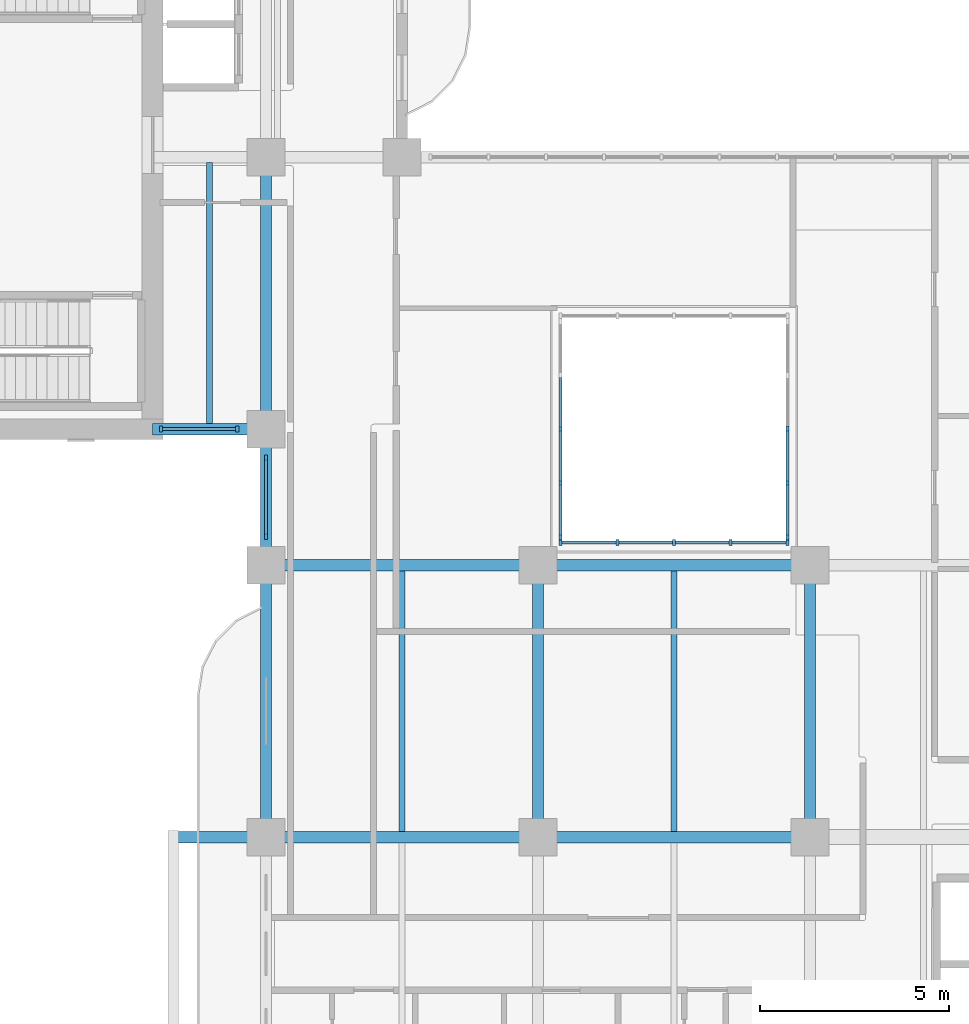
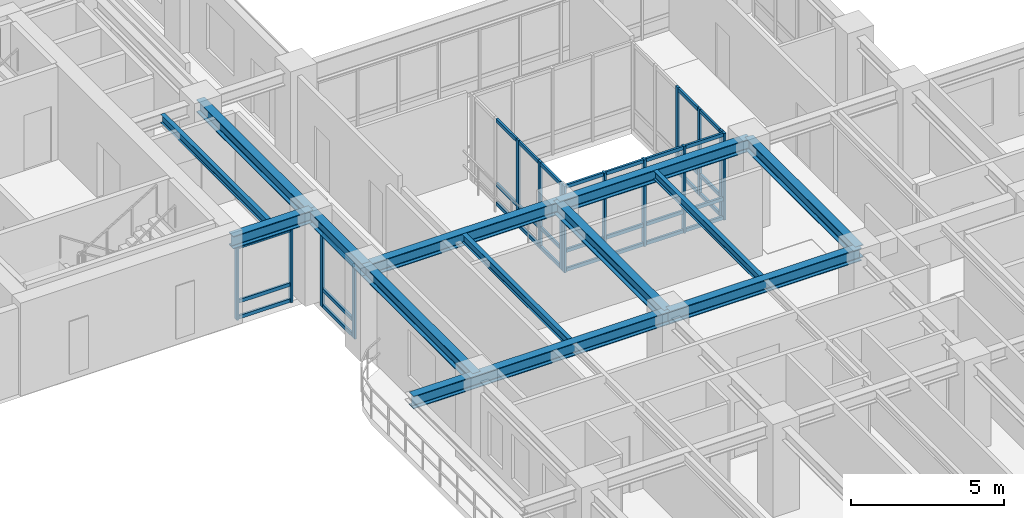
# One storey, part 2 of 20: 48 members, 13 beams, 5 elements without a shape of their own.
"""IFC4 building model written with IfcOpenShell, lengths in metres."""

import ifcopenshell
import ifcopenshell.guid

model = None  # the IFC model being written
_history = None  # IfcOwnerHistory: only IFC2X3 demands one
_inside = {}  # id of a spatial element -> (the spatial element, [elements in it])
_under = {}  # id of a project, library or spatial element -> (it, [spatial elements below it])
_declared = {}  # id of a project -> (the project, [libraries it declares])
_typed = {}  # id of a type object -> (the type object, [elements of that type])
_made_of = {}  # id of a material, layer set ... -> (it, [elements and type objects made of it])


def new_model(schema):
    """Start an empty IFC model of exactly this schema.

    Asked for "IFC4X3", IfcOpenShell would pick the latest addendum, in which some entities
    have other attributes; the version numbers below select the first issue.
    IFC2X3 requires an IfcOwnerHistory on every rooted entity: one is made here for all.
    """
    global model, _history
    if schema == "IFC4X3":
        model = ifcopenshell.file(schema_version=(4, 3, 0, 0))
    else:
        model = ifcopenshell.file(schema=schema)
    _inside.clear()
    _under.clear()
    _declared.clear()
    _typed.clear()
    _made_of.clear()
    _history = None
    if model.schema == "IFC2X3":
        org = make("IfcOrganization", Name="unknown")
        user = make(
            "IfcPersonAndOrganization",
            ThePerson=make("IfcPerson", FamilyName="unknown"),
            TheOrganization=org,
        )
        app = make(
            "IfcApplication",
            ApplicationDeveloper=org,
            Version="unknown",
            ApplicationFullName="unknown",
            ApplicationIdentifier="unknown",
        )
        _history = make(
            "IfcOwnerHistory",
            OwningUser=user,
            OwningApplication=app,
            ChangeAction="ADDED",
            CreationDate=0,
        )
    return model


def make(cls, **values):
    """One entity of the class cls with the attributes given. An attribute that is None is left unset."""
    return model.create_entity(
        cls, **{name: value for name, value in values.items() if value is not None}
    )


def rooted(cls, **values):
    """An entity with a GlobalId (a new one), such as an element, a storey or a relation."""
    return make(cls, GlobalId=ifcopenshell.guid.new(), OwnerHistory=_history, **values)


def si_unit(unit_type, name, prefix=None):
    """IfcSIUnit, for example si_unit("LENGTHUNIT", "METRE", prefix="MILLI")."""
    return make("IfcSIUnit", UnitType=unit_type, Prefix=prefix, Name=name)


def derived_unit(unit_type, elements):
    """IfcDerivedUnit: a product of units, each with its exponent."""
    return make(
        "IfcDerivedUnit",
        Elements=[
            make("IfcDerivedUnitElement", Unit=unit, Exponent=power)
            for unit, power in elements
        ],
        UnitType=unit_type,
    )


def assignment(units):
    """IfcUnitAssignment: the units of a project."""
    return None if units is None else make("IfcUnitAssignment", Units=units)


def point(xyz):
    """IfcCartesianPoint."""
    return None if xyz is None else make("IfcCartesianPoint", Coordinates=xyz)


def direction(xyz):
    """IfcDirection."""
    return None if xyz is None else make("IfcDirection", DirectionRatios=xyz)


def frame(location, z_axis=None, x_axis=None):
    """IfcAxis2Placement3D, a coordinate frame: its origin and axes. An axis left out is left unset."""
    return make(
        "IfcAxis2Placement3D",
        Location=point(location),
        Axis=direction(z_axis),
        RefDirection=direction(x_axis),
    )


def frame_2d(location, x_axis=None):
    """IfcAxis2Placement2D, a coordinate frame in the plane: its origin and x axis."""
    return make(
        "IfcAxis2Placement2D", Location=point(location), RefDirection=direction(x_axis)
    )


def origin():
    """The frame at (0, 0, 0) with its axes left unset."""
    return frame((0.0, 0.0, 0.0))


def origin_2d():
    """The frame at (0, 0) in the plane with its x axis left unset."""
    return frame_2d((0.0, 0.0))


def place(relative_to, where):
    """IfcLocalPlacement: puts the frame where relative to a parent placement (None: the world)."""
    return make(
        "IfcLocalPlacement", PlacementRelTo=relative_to, RelativePlacement=where
    )


def context(
    kind, dimensions, precision=None, world=None, true_north=None, identifier=None
):
    """IfcGeometricRepresentationContext, for example the 3D "Model" context."""
    return make(
        "IfcGeometricRepresentationContext",
        ContextIdentifier=identifier,
        ContextType=kind,
        CoordinateSpaceDimension=dimensions,
        Precision=precision,
        WorldCoordinateSystem=world,
        TrueNorth=true_north,
    )


def subcontext(parent, identifier, kind, view, scale=None):
    """IfcGeometricRepresentationSubContext, for example "Body" below "Model"."""
    return make(
        "IfcGeometricRepresentationSubContext",
        ContextIdentifier=identifier,
        ContextType=kind,
        ParentContext=parent,
        TargetScale=scale,
        TargetView=view,
    )


def project(units=None, contexts=None):
    """IfcProject with its units and contexts."""
    return rooted(
        "IfcProject",
        Name="project",
        RepresentationContexts=contexts,
        UnitsInContext=assignment(units),
    )


def spatial(cls, under=None, at=None, **own):
    """A site, building, storey or space (cls), placed at a placement, below another one or the project."""
    s = rooted(cls, ObjectPlacement=at, **own)
    if under is not None:
        _under.setdefault(under.id(), (under, []))[1].append(s)
    return s


def profile(cls, at=None, kind="AREA", **sizes):
    """A parametric profile (cls). Its sizes go by their IFC names, for example OverallWidth=200.0."""
    return make(cls, ProfileType=kind, Position=at, **sizes)


def rectangle(**sizes):
    """IfcRectangleProfileDef."""
    return profile("IfcRectangleProfileDef", **sizes)


def i_section(**sizes):
    """IfcIShapeProfileDef."""
    return profile("IfcIShapeProfileDef", **sizes)


def extrude(swept, where, along, depth):
    """IfcExtrudedAreaSolid: the profile swept, set in the frame where, extruded along a direction by depth."""
    return make(
        "IfcExtrudedAreaSolid",
        SweptArea=swept,
        Position=where,
        ExtrudedDirection=direction(along),
        Depth=depth,
    )


def shape(context_of_items, identifier, shape_type, items):
    """IfcShapeRepresentation: the items that make up one representation, for example the "Body"."""
    return make(
        "IfcShapeRepresentation",
        ContextOfItems=context_of_items,
        RepresentationIdentifier=identifier,
        RepresentationType=shape_type,
        Items=items,
    )


def source(mapping_origin, context_of_items, identifier, shape_type, items):
    """IfcRepresentationMap: a shape defined once, which mapped items show again and again."""
    return make(
        "IfcRepresentationMap",
        MappingOrigin=mapping_origin,
        MappedRepresentation=shape(context_of_items, identifier, shape_type, items),
    )


def transform(
    local_origin,
    x_axis=None,
    y_axis=None,
    z_axis=None,
    scale=None,
    scale2=None,
    scale3=None,
    uniform=True,
):
    """IfcCartesianTransformationOperator3D, or its non-uniform kind. x_axis, y_axis, z_axis: its Axis1, 2, 3."""
    if uniform:
        return make(
            "IfcCartesianTransformationOperator3D",
            Axis1=direction(x_axis),
            Axis2=direction(y_axis),
            LocalOrigin=point(local_origin),
            Scale=scale,
            Axis3=direction(z_axis),
        )
    return make(
        "IfcCartesianTransformationOperator3DnonUniform",
        Axis1=direction(x_axis),
        Axis2=direction(y_axis),
        LocalOrigin=point(local_origin),
        Scale=scale,
        Axis3=direction(z_axis),
        Scale2=scale2,
        Scale3=scale3,
    )


def mapped(mapping_source, mapping_target):
    """IfcMappedItem: shows the shape of a source again, moved by a transform."""
    return make(
        "IfcMappedItem", MappingSource=mapping_source, MappingTarget=mapping_target
    )


def material(Name=None, Category=None):
    """IfcMaterial."""
    return make("IfcMaterial", Name=Name, Category=Category)


def layer(
    of_material, thickness, ventilated=None, Name=None, Category=None, Priority=None
):
    """IfcMaterialLayer: one layer of a wall or slab, of a material (None: an air gap)."""
    return make(
        "IfcMaterialLayer",
        Material=of_material,
        LayerThickness=thickness,
        IsVentilated=ventilated,
        Name=Name,
        Category=Category,
        Priority=Priority,
    )


def layer_set(layers, Name=None):
    """IfcMaterialLayerSet."""
    return make("IfcMaterialLayerSet", MaterialLayers=layers, LayerSetName=Name)


def material_profile(
    of_material, cross_section, Name=None, Category=None, Priority=None
):
    """IfcMaterialProfile: a cross section and its material."""
    return make(
        "IfcMaterialProfile",
        Name=Name,
        Material=of_material,
        Profile=cross_section,
        Priority=Priority,
        Category=Category,
    )


def profile_set(profiles, Name=None, composite=None):
    """IfcMaterialProfileSet."""
    return make(
        "IfcMaterialProfileSet",
        Name=Name,
        MaterialProfiles=profiles,
        CompositeProfile=composite,
    )


def made_of(thing, what):
    """Note that an element or type object is made of a material, layer set ...; save() writes the relation."""
    if what is not None:
        _made_of.setdefault(what.id(), (what, []))[1].append(thing)
    return thing


def type_object(cls, material=None, **own):
    """A type object (cls), such as IfcWallType, which elements share."""
    return made_of(rooted(cls, **own), material)


def type_shapes(of_type, sources):
    """Give a type object the sources (RepresentationMaps) that its elements show as mapped items."""
    of_type.RepresentationMaps = sources


def element(
    cls,
    number,
    at=None,
    inside=None,
    cuts=None,
    type_object=None,
    material=None,
    context=None,
    identifier="Body",
    shape_type=None,
    held_by="IfcProductDefinitionShape",
    body=None,
    shapes=None,
    **own,
):
    """One element of the class cls, such as IfcWall. Its Tag is "e" and its number.

    at: its placement. inside: the storey or other place that contains it. cuts: it is an
    opening in that element (IfcRelVoidsElement). A single representation is given by context,
    identifier, shape_type and body (its items); several are given by shapes. held_by: the class
    of the entity that holds the representations. save() writes the other relations.
    """
    e = rooted(cls, Tag="e%d" % number, ObjectPlacement=at, **own)
    if body is not None:
        shapes = [shape(context, identifier, shape_type, body)]
    if shapes is not None:
        e.Representation = make(held_by, Representations=shapes)
    if inside is not None:
        _inside.setdefault(inside.id(), (inside, []))[1].append(e)
    if cuts is not None:
        rooted(
            "IfcRelVoidsElement", RelatingBuildingElement=cuts, RelatedOpeningElement=e
        )
    if type_object is not None:
        _typed.setdefault(type_object.id(), (type_object, []))[1].append(e)
    return made_of(e, material)


def aggregate(whole, parts):
    """IfcRelAggregates: a whole, such as a stair, and the parts it consists of."""
    return rooted("IfcRelAggregates", RelatingObject=whole, RelatedObjects=parts)


def save(model, path):
    """Write the relations noted so far, then the file.

    IfcRelAggregates (storeys below a building ...), IfcRelContainedInSpatialStructure (elements
    in a storey), IfcRelDefinesByType, IfcRelAssociatesMaterial and IfcRelDeclares: one each for
    every whole, place, type object, material and project.
    """
    for whole, parts in _under.values():
        aggregate(whole, parts)
    for where, things in _inside.values():
        rooted(
            "IfcRelContainedInSpatialStructure",
            RelatedElements=things,
            RelatingStructure=where,
        )
    for kind, things in _typed.values():
        rooted("IfcRelDefinesByType", RelatedObjects=things, RelatingType=kind)
    for what, things in _made_of.values():
        rooted("IfcRelAssociatesMaterial", RelatedObjects=things, RelatingMaterial=what)
    for by, libraries in _declared.values():
        rooted("IfcRelDeclares", RelatingContext=by, RelatedDefinitions=libraries)
    model.write(path)


model = new_model("IFC4")

# Units and contexts
model_context = context("Model", 3, precision=1e-05, world=origin(), true_north=direction((0.0, 1.0)))
body_context = subcontext(model_context, "Body", "Model", "MODEL_VIEW")
ifc_project = project(units=[si_unit("LENGTHUNIT", "METRE"), si_unit("AREAUNIT", "SQUARE_METRE"), si_unit("VOLUMEUNIT", "CUBIC_METRE"), si_unit("PLANEANGLEUNIT", "RADIAN"), si_unit("MASSUNIT", "GRAM", prefix="KILO"), si_unit("THERMODYNAMICTEMPERATUREUNIT", "KELVIN"), si_unit("POWERUNIT", "WATT"), derived_unit("THERMALTRANSMITTANCEUNIT", [(si_unit("POWERUNIT", "WATT"), 1), (si_unit("AREAUNIT", "SQUARE_METRE"), -1), (si_unit("THERMODYNAMICTEMPERATUREUNIT", "KELVIN"), -1)])], contexts=[model_context])

# Site, building, storey
site_placement = place(None, origin())
site = spatial("IfcSite", under=ifc_project, at=site_placement, CompositionType="ELEMENT")
building_placement = place(site_placement, origin())
building = spatial("IfcBuilding", under=site, at=building_placement, Name="Zahravan Archway Hotel and Residences", CompositionType="ELEMENT")
storey_placement = place(building_placement, frame((0.0, 0.0, 126.60009765625)))
storey = spatial("IfcBuildingStorey", under=building, at=storey_placement, Name="L31", CompositionType="ELEMENT", Elevation=126.60009765625)

# Beams
ifc_material_1 = material(Name="Structural Steel S355JR", Category="steel")
ifc_material_profile_1 = material_profile(ifc_material_1, i_section(OverallWidth=0.300048828125, OverallDepth=0.5, WebThickness=0.014404296875, FlangeThickness=0.028076171875, FilletRadius=0.027099609375, at=origin_2d()), Name="HEB 500", Category="steel")
ifc_profile_set_1 = profile_set([ifc_material_profile_1], Name="Structural Steel S355JR")
beam_type_1 = type_object("IfcBeamType", Name="BM-PRI-HEB500", PredefinedType="BEAM", material=ifc_profile_set_1)
shared_shape_1 = source(origin(), body_context, "Body", "SweptSolid", [
    extrude(i_section(OverallWidth=0.300048828125, OverallDepth=0.5, WebThickness=0.014404296875, FlangeThickness=0.028076171875, FilletRadius=0.027099609375, at=origin_2d()), origin(), (0.0, 0.0, 1.0), 7.2001953125),
])
type_shapes(beam_type_1, [shared_shape_1])
for number, where, z_axis, x_axis, name in (
    (1, (14.39990234375, 21.60009765625, 3.199951171875), (1.0, 0.0, 0.0), (0.0, 1.0, 0.0), "L31 Primary Girder EW-11"),
    (2, (14.39990234375, 14.39990234375, 3.199951171875), (0.0, 1.0, 0.0), (-1.0, 0.0, 0.0), "L31 Primary Girder NS-30"),
    (3, (21.60009765625, 14.39990234375, 3.199951171875), (0.0, 1.0, 0.0), (-1.0, 0.0, 0.0), "L31 Primary Girder NS-37"),
    (4, (28.800048828125, 14.39990234375, 3.199951171875), (0.0, 1.0, 0.0), (-1.0, 0.0, 0.0), "L31 Primary Girder NS-40"),
):
    element("IfcBeam", number, at=place(storey_placement, frame(where, z_axis=z_axis, x_axis=x_axis)), inside=storey, type_object=beam_type_1, Name=name, PredefinedType="BEAM", context=body_context, shape_type="MappedRepresentation", body=[
        mapped(shared_shape_1, transform((0.0, 0.0, 0.0), scale=1.0)),
    ])
shared_shape_2 = source(origin(), body_context, "Body", "SweptSolid", [
    extrude(i_section(OverallWidth=0.300048828125, OverallDepth=0.5, WebThickness=0.014404296875, FlangeThickness=0.028076171875, FilletRadius=0.027099609375, at=origin_2d()), origin(), (0.0, 0.0, 1.0), 7.199951171875),
])
for number, where, z_axis, x_axis, name in (
    (5, (21.60009765625, 14.39990234375, 3.199951171875), (1.0, 0.0, 0.0), (0.0, 1.0, 0.0), "L31 Primary Girder EW-10"),
    (6, (21.60009765625, 21.60009765625, 3.199951171875), (1.0, 0.0, 0.0), (0.0, 1.0, 0.0), "L31 Primary Girder EW-12"),
    (7, (14.39990234375, 25.199951171875, 3.199951171875), (0.0, 1.0, 0.0), (-1.0, 0.0, 0.0), "L31 Primary Girder NS-32"),
):
    element("IfcBeam", number, at=place(storey_placement, frame(where, z_axis=z_axis, x_axis=x_axis)), inside=storey, type_object=beam_type_1, Name=name, PredefinedType="BEAM", context=body_context, shape_type="MappedRepresentation", body=[
        mapped(shared_shape_2, transform((0.0, 0.0, 0.0), scale=1.0)),
    ])
shared_shape_3 = source(origin(), body_context, "Body", "SweptSolid", [
    extrude(i_section(OverallWidth=0.300048828125, OverallDepth=0.5, WebThickness=0.014404296875, FlangeThickness=0.028076171875, FilletRadius=0.027099609375, at=origin_2d()), origin(), (0.0, 0.0, 1.0), 9.650146484375),
])
beam_1_placement = place(storey_placement, frame((11.949951171875, 14.39990234375, 3.199951171875), z_axis=(1.0, 0.0, 0.0), x_axis=(0.0, 1.0, 0.0)))
element("IfcBeam", 8, at=beam_1_placement, inside=storey, type_object=beam_type_1, Name="L31 Primary Girder EW-09", PredefinedType="BEAM", context=body_context, shape_type="MappedRepresentation", body=[
    mapped(shared_shape_3, transform((0.0, 0.0, 0.0), scale=1.0)),
])
shared_shape_4 = source(origin(), body_context, "Body", "SweptSolid", [
    extrude(i_section(OverallWidth=0.300048828125, OverallDepth=0.5, WebThickness=0.014404296875, FlangeThickness=0.028076171875, FilletRadius=0.027099609375, at=origin_2d()), origin(), (0.0, 0.0, 1.0), 3.0),
])
beam_2_placement = place(storey_placement, frame((11.39990234375, 25.199951171875, 3.199951171875), z_axis=(1.0, 0.0, 0.0), x_axis=(0.0, 1.0, 0.0)))
element("IfcBeam", 9, at=beam_2_placement, inside=storey, type_object=beam_type_1, Name="L31 Primary Girder EW-16", PredefinedType="BEAM", context=body_context, shape_type="MappedRepresentation", body=[
    mapped(shared_shape_4, transform((0.0, 0.0, 0.0), scale=1.0)),
])
shared_shape_5 = source(origin(), body_context, "Body", "SweptSolid", [
    extrude(i_section(OverallWidth=0.300048828125, OverallDepth=0.5, WebThickness=0.014404296875, FlangeThickness=0.028076171875, FilletRadius=0.027099609375, at=origin_2d()), origin(), (0.0, 0.0, 1.0), 3.599853515625),
])
beam_3_placement = place(storey_placement, frame((14.39990234375, 21.60009765625, 3.199951171875), z_axis=(0.0, 1.0, 0.0), x_axis=(-1.0, 0.0, 0.0)))
element("IfcBeam", 10, at=beam_3_placement, inside=storey, type_object=beam_type_1, Name="L31 Primary Girder NS-31", PredefinedType="BEAM", context=body_context, shape_type="MappedRepresentation", body=[
    mapped(shared_shape_5, transform((0.0, 0.0, 0.0), scale=1.0)),
])
ifc_material_profile_2 = material_profile(ifc_material_1, i_section(OverallWidth=0.159912109375, OverallDepth=0.330078125, WebThickness=0.007568359375, FlangeThickness=0.011474609375, FilletRadius=0.01806640625, at=origin_2d()), Name="IPE 330", Category="steel")
ifc_profile_set_2 = profile_set([ifc_material_profile_2], Name="Structural Steel S355JR")
beam_type_2 = type_object("IfcBeamType", Name="BM-JST-IPE330", PredefinedType="JOIST", material=ifc_profile_set_2)
shared_shape_6 = source(origin(), body_context, "Body", "SweptSolid", [
    extrude(i_section(OverallWidth=0.159912109375, OverallDepth=0.330078125, WebThickness=0.007568359375, FlangeThickness=0.011474609375, FilletRadius=0.01806640625, at=origin_2d()), origin(), (0.0, 0.0, 1.0), 6.904052734375),
])
type_shapes(beam_type_2, [shared_shape_6])
beam_4_placement = place(storey_placement, frame((12.89990234375, 25.347900390625, 3.284912109375), z_axis=(0.0, 1.0, 0.0), x_axis=(-1.0, 0.0, 0.0)))
element("IfcBeam", 11, at=beam_4_placement, inside=storey, type_object=beam_type_2, Name="L31 Composite Floor Joist 10", PredefinedType="JOIST", context=body_context, shape_type="MappedRepresentation", body=[
    mapped(shared_shape_6, transform((0.0, 0.0, 0.0), scale=1.0)),
])
shared_shape_7 = source(origin(), body_context, "Body", "SweptSolid", [
    extrude(i_section(OverallWidth=0.159912109375, OverallDepth=0.330078125, WebThickness=0.007568359375, FlangeThickness=0.011474609375, FilletRadius=0.01806640625, at=origin_2d()), origin(), (0.0, 0.0, 1.0), 6.90380859375),
])
for number, where, z_axis, x_axis, name in (
    (12, (18.0, 14.548095703125, 3.284912109375), (0.0, 1.0, 0.0), (-1.0, 0.0, 0.0), "L31 Composite Floor Joist 08"),
    (13, (25.199951171875, 14.548095703125, 3.284912109375), (0.0, 1.0, 0.0), (-1.0, 0.0, 0.0), "L31 Composite Floor Joist 09"),
):
    element("IfcBeam", number, at=place(storey_placement, frame(where, z_axis=z_axis, x_axis=x_axis)), inside=storey, type_object=beam_type_2, Name=name, PredefinedType="JOIST", context=body_context, shape_type="MappedRepresentation", body=[
        mapped(shared_shape_7, transform((0.0, 0.0, 0.0), scale=1.0)),
    ])

# Curtain wall, members
ifc_material_2 = material(Name="Bronze-Anodized Unitised Aluminium & Low-E Glass", Category="aluminium")
ifc_layer = layer(ifc_material_2, 0.179931640625, Name="Bronze-Anodized Unitised Aluminium & Low-E Glass", Category="aluminium")
ifc_layer_set = layer_set([ifc_layer], Name="Bronze-Anodized Unitised Aluminium & Low-E Glass")
curtain_wall_type = type_object("IfcCurtainWallType", Name="CW-ATR-GLAZ", PredefinedType="NOTDEFINED", material=ifc_layer_set)
curtain_wall_1_placement = place(storey_placement, origin())
curtain_wall_1 = element("IfcCurtainWall", 14, at=curtain_wall_1_placement, inside=storey, type_object=curtain_wall_type, Name="L31 Curtain Wall CW-L31-WB-SE-1", PredefinedType="NOTDEFINED")
ifc_material_3 = material(Name="Bronze-Anodized Extruded Aluminium", Category="aluminium")
ifc_material_profile_3 = material_profile(ifc_material_3, rectangle(XDim=0.080078125, YDim=0.139892578125, at=origin_2d()), Name="TRN 80x140", Category="aluminium")
ifc_profile_set_3 = profile_set([ifc_material_profile_3], Name="Bronze-Anodized Extruded Aluminium")
member_type_1 = type_object("IfcMemberType", Name="CWM-TRN-140", PredefinedType="USERDEFINED", material=ifc_profile_set_3)
shared_shape_8 = source(origin(), body_context, "Body", "SweptSolid", [
    extrude(rectangle(XDim=0.080078125, YDim=0.139892578125, at=origin_2d()), origin(), (0.0, 0.0, 1.0), 1.940185546875),
])
member_1_placement = place(storey_placement, frame((11.659912109375, 25.199951171875, 0.06982421875), z_axis=(1.0, 0.0, 0.0), x_axis=(0.0, 1.0, 0.0)))
member_1 = element("IfcMember", 15, at=member_1_placement, type_object=member_type_1, Name="CW-L31-WB-SE-1 Transom 0-1", ObjectType="TRANSOM", PredefinedType="USERDEFINED", context=body_context, shape_type="MappedRepresentation", body=[
    mapped(shared_shape_8, transform((0.0, 0.0, 0.0), scale=1.0)),
])
member_2_placement = place(storey_placement, frame((11.659912109375, 25.199951171875, 0.704345703125), z_axis=(1.0, 0.0, 0.0), x_axis=(0.0, 1.0, 0.0)))
member_2 = element("IfcMember", 16, at=member_2_placement, type_object=member_type_1, Name="CW-L31-WB-SE-1 Transom 0-2", ObjectType="TRANSOM", PredefinedType="USERDEFINED", context=body_context, shape_type="MappedRepresentation", body=[
    mapped(shared_shape_8, transform((0.0, 0.0, 0.0), scale=1.0)),
])
member_3_placement = place(storey_placement, frame((11.659912109375, 25.199951171875, 2.864990234375), z_axis=(1.0, 0.0, 0.0), x_axis=(0.0, 1.0, 0.0)))
member_3 = element("IfcMember", 17, at=member_3_placement, type_object=member_type_1, Name="CW-L31-WB-SE-1 Transom 0-3", ObjectType="TRANSOM", PredefinedType="USERDEFINED", context=body_context, shape_type="MappedRepresentation", body=[
    mapped(shared_shape_8, transform((0.0, 0.0, 0.0), scale=1.0)),
])

curtain_wall_2_placement = place(storey_placement, origin())
curtain_wall_2 = element("IfcCurtainWall", 18, at=curtain_wall_2_placement, inside=storey, type_object=curtain_wall_type, Name="L31 Curtain Wall CW-L31-WA-WLU-1", PredefinedType="NOTDEFINED")
shared_shape_9 = source(origin(), body_context, "Body", "SweptSolid", [
    extrude(rectangle(XDim=0.080078125, YDim=0.139892578125, at=origin_2d()), origin(), (0.0, 0.0, 1.0), 2.0),
])
member_4_placement = place(storey_placement, frame((14.39990234375, 22.39990234375, 0.06982421875), z_axis=(0.0, 1.0, 0.0), x_axis=(-1.0, 0.0, 0.0)))
member_4 = element("IfcMember", 19, at=member_4_placement, type_object=member_type_1, Name="CW-L31-WA-WLU-1 Transom 0-1", ObjectType="TRANSOM", PredefinedType="USERDEFINED", context=body_context, shape_type="MappedRepresentation", body=[
    mapped(shared_shape_9, transform((0.0, 0.0, 0.0), scale=1.0)),
])
member_5_placement = place(storey_placement, frame((14.39990234375, 22.39990234375, 0.704345703125), z_axis=(0.0, 1.0, 0.0), x_axis=(-1.0, 0.0, 0.0)))
member_5 = element("IfcMember", 20, at=member_5_placement, type_object=member_type_1, Name="CW-L31-WA-WLU-1 Transom 0-2", ObjectType="TRANSOM", PredefinedType="USERDEFINED", context=body_context, shape_type="MappedRepresentation", body=[
    mapped(shared_shape_9, transform((0.0, 0.0, 0.0), scale=1.0)),
])
member_6_placement = place(storey_placement, frame((14.39990234375, 22.39990234375, 2.864990234375), z_axis=(0.0, 1.0, 0.0), x_axis=(-1.0, 0.0, 0.0)))
member_6 = element("IfcMember", 21, at=member_6_placement, type_object=member_type_1, Name="CW-L31-WA-WLU-1 Transom 0-3", ObjectType="TRANSOM", PredefinedType="USERDEFINED", context=body_context, shape_type="MappedRepresentation", body=[
    mapped(shared_shape_9, transform((0.0, 0.0, 0.0), scale=1.0)),
])

curtain_wall_3_placement = place(storey_placement, origin())
curtain_wall_3 = element("IfcCurtainWall", 22, at=curtain_wall_3_placement, inside=storey, type_object=curtain_wall_type, Name="L31 Curtain Wall CW-ATR-L31-S-1", PredefinedType="NOTDEFINED")
ifc_material_profile_4 = material_profile(ifc_material_3, rectangle(XDim=0.080078125, YDim=0.159912109375, at=origin_2d()), Name="MUL 80x160", Category="aluminium")
ifc_profile_set_4 = profile_set([ifc_material_profile_4], Name="Bronze-Anodized Extruded Aluminium")
member_type_2 = type_object("IfcMemberType", Name="CWM-MUL-160", PredefinedType="MULLION", material=ifc_profile_set_4)
shared_shape_10 = source(origin(), body_context, "Body", "SweptSolid", [
    extrude(rectangle(XDim=0.080078125, YDim=0.159912109375, at=origin_2d()), origin(), (0.0, 0.0, 1.0), 3.449951171875),
])
member_7_placement = place(storey_placement, frame((22.199951171875, 22.199951171875, 0.0), z_axis=(0.0, 0.0, 1.0), x_axis=(1.0, 0.0, 0.0)))
member_7 = element("IfcMember", 23, at=member_7_placement, type_object=member_type_2, Name="CW-ATR-L31-S-1 Mullion 0", PredefinedType="MULLION", context=body_context, shape_type="MappedRepresentation", body=[
    mapped(shared_shape_10, transform((0.0, 0.0, 0.0), scale=1.0)),
])
member_8_placement = place(storey_placement, frame((23.699951171875, 22.199951171875, 0.0), z_axis=(0.0, 0.0, 1.0), x_axis=(1.0, 0.0, 0.0)))
member_8 = element("IfcMember", 24, at=member_8_placement, type_object=member_type_2, Name="CW-ATR-L31-S-1 Mullion 1", PredefinedType="MULLION", context=body_context, shape_type="MappedRepresentation", body=[
    mapped(shared_shape_10, transform((0.0, 0.0, 0.0), scale=1.0)),
])
member_9_placement = place(storey_placement, frame((25.199951171875, 22.199951171875, 0.0), z_axis=(0.0, 0.0, 1.0), x_axis=(1.0, 0.0, 0.0)))
member_9 = element("IfcMember", 25, at=member_9_placement, type_object=member_type_2, Name="CW-ATR-L31-S-1 Mullion 2", PredefinedType="MULLION", context=body_context, shape_type="MappedRepresentation", body=[
    mapped(shared_shape_10, transform((0.0, 0.0, 0.0), scale=1.0)),
])
member_10_placement = place(storey_placement, frame((26.699951171875, 22.199951171875, 0.0), z_axis=(0.0, 0.0, 1.0), x_axis=(1.0, 0.0, 0.0)))
member_10 = element("IfcMember", 26, at=member_10_placement, type_object=member_type_2, Name="CW-ATR-L31-S-1 Mullion 3", PredefinedType="MULLION", context=body_context, shape_type="MappedRepresentation", body=[
    mapped(shared_shape_10, transform((0.0, 0.0, 0.0), scale=1.0)),
])
member_11_placement = place(storey_placement, frame((28.199951171875, 22.199951171875, 0.0), z_axis=(0.0, 0.0, 1.0), x_axis=(1.0, 0.0, 0.0)))
member_11 = element("IfcMember", 27, at=member_11_placement, type_object=member_type_2, Name="CW-ATR-L31-S-1 Mullion 4", PredefinedType="MULLION", context=body_context, shape_type="MappedRepresentation", body=[
    mapped(shared_shape_10, transform((0.0, 0.0, 0.0), scale=1.0)),
])

curtain_wall_4_placement = place(storey_placement, origin())
curtain_wall_4 = element("IfcCurtainWall", 28, at=curtain_wall_4_placement, inside=storey, type_object=curtain_wall_type, Name="L31 Curtain Wall CW-ATR-L31-W-1", PredefinedType="NOTDEFINED")
member_12_placement = place(storey_placement, frame((22.199951171875, 22.35009765625, 0.0), z_axis=(0.0, 0.0, 1.0), x_axis=(1.0, 0.0, 0.0)))
member_12 = element("IfcMember", 29, at=member_12_placement, type_object=member_type_2, Name="CW-ATR-L31-W-1 Mullion 0", PredefinedType="MULLION", context=body_context, shape_type="MappedRepresentation", body=[
    mapped(shared_shape_10, transform((0.0, 0.0, 0.0), scale=1.0)),
])
member_13_placement = place(storey_placement, frame((22.199951171875, 23.77490234375, 0.0), z_axis=(0.0, 0.0, 1.0), x_axis=(1.0, 0.0, 0.0)))
member_13 = element("IfcMember", 30, at=member_13_placement, type_object=member_type_2, Name="CW-ATR-L31-W-1 Mullion 1", PredefinedType="MULLION", context=body_context, shape_type="MappedRepresentation", body=[
    mapped(shared_shape_10, transform((0.0, 0.0, 0.0), scale=1.0)),
])
member_14_placement = place(storey_placement, frame((22.199951171875, 25.199951171875, 0.0), z_axis=(0.0, 0.0, 1.0), x_axis=(1.0, 0.0, 0.0)))
member_14 = element("IfcMember", 31, at=member_14_placement, type_object=member_type_2, Name="CW-ATR-L31-W-1 Mullion 2", PredefinedType="MULLION", context=body_context, shape_type="MappedRepresentation", body=[
    mapped(shared_shape_10, transform((0.0, 0.0, 0.0), scale=1.0)),
])

curtain_wall_5_placement = place(storey_placement, origin())
curtain_wall_5 = element("IfcCurtainWall", 32, at=curtain_wall_5_placement, inside=storey, type_object=curtain_wall_type, Name="L31 Curtain Wall CW-ATR-L31-E-1", PredefinedType="NOTDEFINED")
member_15_placement = place(storey_placement, frame((28.199951171875, 22.35009765625, 0.0), z_axis=(0.0, 0.0, 1.0), x_axis=(1.0, 0.0, 0.0)))
member_15 = element("IfcMember", 33, at=member_15_placement, type_object=member_type_2, Name="CW-ATR-L31-E-1 Mullion 0", PredefinedType="MULLION", context=body_context, shape_type="MappedRepresentation", body=[
    mapped(shared_shape_10, transform((0.0, 0.0, 0.0), scale=1.0)),
])
member_16_placement = place(storey_placement, frame((28.199951171875, 23.77490234375, 0.0), z_axis=(0.0, 0.0, 1.0), x_axis=(1.0, 0.0, 0.0)))
member_16 = element("IfcMember", 34, at=member_16_placement, type_object=member_type_2, Name="CW-ATR-L31-E-1 Mullion 1", PredefinedType="MULLION", context=body_context, shape_type="MappedRepresentation", body=[
    mapped(shared_shape_10, transform((0.0, 0.0, 0.0), scale=1.0)),
])
member_17_placement = place(storey_placement, frame((28.199951171875, 25.199951171875, 0.0), z_axis=(0.0, 0.0, 1.0), x_axis=(1.0, 0.0, 0.0)))
member_17 = element("IfcMember", 35, at=member_17_placement, type_object=member_type_2, Name="CW-ATR-L31-E-1 Mullion 2", PredefinedType="MULLION", context=body_context, shape_type="MappedRepresentation", body=[
    mapped(shared_shape_10, transform((0.0, 0.0, 0.0), scale=1.0)),
])

# Member
shared_shape_11 = source(origin(), body_context, "Body", "SweptSolid", [
    extrude(rectangle(XDim=0.080078125, YDim=0.139892578125, at=origin_2d()), origin(), (0.0, 0.0, 1.0), 1.419921875),
])
member_18_placement = place(storey_placement, frame((22.239990234375, 22.199951171875, 0.06982421875), z_axis=(1.0, 0.0, 0.0), x_axis=(0.0, 1.0, 0.0)))
member_18 = element("IfcMember", 36, at=member_18_placement, type_object=member_type_1, Name="CW-ATR-L31-S-1 Transom 0-1", ObjectType="TRANSOM", PredefinedType="USERDEFINED", context=body_context, shape_type="MappedRepresentation", body=[
    mapped(shared_shape_11, transform((0.0, 0.0, 0.0), scale=1.0)),
])

member_19_placement = place(storey_placement, frame((22.239990234375, 22.199951171875, 0.827880859375), z_axis=(1.0, 0.0, 0.0), x_axis=(0.0, 1.0, 0.0)))
member_19 = element("IfcMember", 37, at=member_19_placement, type_object=member_type_1, Name="CW-ATR-L31-S-1 Transom 0-2", ObjectType="TRANSOM", PredefinedType="USERDEFINED", context=body_context, shape_type="MappedRepresentation", body=[
    mapped(shared_shape_11, transform((0.0, 0.0, 0.0), scale=1.0)),
])

member_20_placement = place(storey_placement, frame((22.239990234375, 22.199951171875, 3.3798828125), z_axis=(1.0, 0.0, 0.0), x_axis=(0.0, 1.0, 0.0)))
member_20 = element("IfcMember", 38, at=member_20_placement, type_object=member_type_1, Name="CW-ATR-L31-S-1 Transom 0-3", ObjectType="TRANSOM", PredefinedType="USERDEFINED", context=body_context, shape_type="MappedRepresentation", body=[
    mapped(shared_shape_11, transform((0.0, 0.0, 0.0), scale=1.0)),
])

member_21_placement = place(storey_placement, frame((23.739990234375, 22.199951171875, 0.06982421875), z_axis=(1.0, 0.0, 0.0), x_axis=(0.0, 1.0, 0.0)))
member_21 = element("IfcMember", 39, at=member_21_placement, type_object=member_type_1, Name="CW-ATR-L31-S-1 Transom 1-1", ObjectType="TRANSOM", PredefinedType="USERDEFINED", context=body_context, shape_type="MappedRepresentation", body=[
    mapped(shared_shape_11, transform((0.0, 0.0, 0.0), scale=1.0)),
])

member_22_placement = place(storey_placement, frame((23.739990234375, 22.199951171875, 0.827880859375), z_axis=(1.0, 0.0, 0.0), x_axis=(0.0, 1.0, 0.0)))
member_22 = element("IfcMember", 40, at=member_22_placement, type_object=member_type_1, Name="CW-ATR-L31-S-1 Transom 1-2", ObjectType="TRANSOM", PredefinedType="USERDEFINED", context=body_context, shape_type="MappedRepresentation", body=[
    mapped(shared_shape_11, transform((0.0, 0.0, 0.0), scale=1.0)),
])

member_23_placement = place(storey_placement, frame((23.739990234375, 22.199951171875, 3.3798828125), z_axis=(1.0, 0.0, 0.0), x_axis=(0.0, 1.0, 0.0)))
member_23 = element("IfcMember", 41, at=member_23_placement, type_object=member_type_1, Name="CW-ATR-L31-S-1 Transom 1-3", ObjectType="TRANSOM", PredefinedType="USERDEFINED", context=body_context, shape_type="MappedRepresentation", body=[
    mapped(shared_shape_11, transform((0.0, 0.0, 0.0), scale=1.0)),
])

member_24_placement = place(storey_placement, frame((25.239990234375, 22.199951171875, 0.06982421875), z_axis=(1.0, 0.0, 0.0), x_axis=(0.0, 1.0, 0.0)))
member_24 = element("IfcMember", 42, at=member_24_placement, type_object=member_type_1, Name="CW-ATR-L31-S-1 Transom 2-1", ObjectType="TRANSOM", PredefinedType="USERDEFINED", context=body_context, shape_type="MappedRepresentation", body=[
    mapped(shared_shape_11, transform((0.0, 0.0, 0.0), scale=1.0)),
])

member_25_placement = place(storey_placement, frame((25.239990234375, 22.199951171875, 0.827880859375), z_axis=(1.0, 0.0, 0.0), x_axis=(0.0, 1.0, 0.0)))
member_25 = element("IfcMember", 43, at=member_25_placement, type_object=member_type_1, Name="CW-ATR-L31-S-1 Transom 2-2", ObjectType="TRANSOM", PredefinedType="USERDEFINED", context=body_context, shape_type="MappedRepresentation", body=[
    mapped(shared_shape_11, transform((0.0, 0.0, 0.0), scale=1.0)),
])

member_26_placement = place(storey_placement, frame((25.239990234375, 22.199951171875, 3.3798828125), z_axis=(1.0, 0.0, 0.0), x_axis=(0.0, 1.0, 0.0)))
member_26 = element("IfcMember", 44, at=member_26_placement, type_object=member_type_1, Name="CW-ATR-L31-S-1 Transom 2-3", ObjectType="TRANSOM", PredefinedType="USERDEFINED", context=body_context, shape_type="MappedRepresentation", body=[
    mapped(shared_shape_11, transform((0.0, 0.0, 0.0), scale=1.0)),
])

member_27_placement = place(storey_placement, frame((26.739990234375, 22.199951171875, 0.06982421875), z_axis=(1.0, 0.0, 0.0), x_axis=(0.0, 1.0, 0.0)))
member_27 = element("IfcMember", 45, at=member_27_placement, type_object=member_type_1, Name="CW-ATR-L31-S-1 Transom 3-1", ObjectType="TRANSOM", PredefinedType="USERDEFINED", context=body_context, shape_type="MappedRepresentation", body=[
    mapped(shared_shape_11, transform((0.0, 0.0, 0.0), scale=1.0)),
])

member_28_placement = place(storey_placement, frame((26.739990234375, 22.199951171875, 0.827880859375), z_axis=(1.0, 0.0, 0.0), x_axis=(0.0, 1.0, 0.0)))
member_28 = element("IfcMember", 46, at=member_28_placement, type_object=member_type_1, Name="CW-ATR-L31-S-1 Transom 3-2", ObjectType="TRANSOM", PredefinedType="USERDEFINED", context=body_context, shape_type="MappedRepresentation", body=[
    mapped(shared_shape_11, transform((0.0, 0.0, 0.0), scale=1.0)),
])

member_29_placement = place(storey_placement, frame((26.739990234375, 22.199951171875, 3.3798828125), z_axis=(1.0, 0.0, 0.0), x_axis=(0.0, 1.0, 0.0)))
member_29 = element("IfcMember", 47, at=member_29_placement, type_object=member_type_1, Name="CW-ATR-L31-S-1 Transom 3-3", ObjectType="TRANSOM", PredefinedType="USERDEFINED", context=body_context, shape_type="MappedRepresentation", body=[
    mapped(shared_shape_11, transform((0.0, 0.0, 0.0), scale=1.0)),
])

aggregate(curtain_wall_3, [member_7, member_8, member_9, member_10, member_11, member_18, member_19, member_20, member_21, member_22, member_23, member_24, member_25, member_26, member_27, member_28, member_29])

shared_shape_12 = source(origin(), body_context, "Body", "SweptSolid", [
    extrude(rectangle(XDim=0.080078125, YDim=0.139892578125, at=origin_2d()), origin(), (0.0, 0.0, 1.0), 1.34521484375),
])
member_30_placement = place(storey_placement, frame((22.199951171875, 22.389892578125, 0.06982421875), z_axis=(0.0, 1.0, 0.0), x_axis=(-1.0, 0.0, 0.0)))
member_30 = element("IfcMember", 48, at=member_30_placement, type_object=member_type_1, Name="CW-ATR-L31-W-1 Transom 0-1", ObjectType="TRANSOM", PredefinedType="USERDEFINED", context=body_context, shape_type="MappedRepresentation", body=[
    mapped(shared_shape_12, transform((0.0, 0.0, 0.0), scale=1.0)),
])

member_31_placement = place(storey_placement, frame((22.199951171875, 22.389892578125, 0.827880859375), z_axis=(0.0, 1.0, 0.0), x_axis=(-1.0, 0.0, 0.0)))
member_31 = element("IfcMember", 49, at=member_31_placement, type_object=member_type_1, Name="CW-ATR-L31-W-1 Transom 0-2", ObjectType="TRANSOM", PredefinedType="USERDEFINED", context=body_context, shape_type="MappedRepresentation", body=[
    mapped(shared_shape_12, transform((0.0, 0.0, 0.0), scale=1.0)),
])

member_32_placement = place(storey_placement, frame((22.199951171875, 22.389892578125, 3.3798828125), z_axis=(0.0, 1.0, 0.0), x_axis=(-1.0, 0.0, 0.0)))
member_32 = element("IfcMember", 50, at=member_32_placement, type_object=member_type_1, Name="CW-ATR-L31-W-1 Transom 0-3", ObjectType="TRANSOM", PredefinedType="USERDEFINED", context=body_context, shape_type="MappedRepresentation", body=[
    mapped(shared_shape_12, transform((0.0, 0.0, 0.0), scale=1.0)),
])

member_33_placement = place(storey_placement, frame((28.199951171875, 22.389892578125, 0.06982421875), z_axis=(0.0, 1.0, 0.0), x_axis=(-1.0, 0.0, 0.0)))
member_33 = element("IfcMember", 51, at=member_33_placement, type_object=member_type_1, Name="CW-ATR-L31-E-1 Transom 0-1", ObjectType="TRANSOM", PredefinedType="USERDEFINED", context=body_context, shape_type="MappedRepresentation", body=[
    mapped(shared_shape_12, transform((0.0, 0.0, 0.0), scale=1.0)),
])

member_34_placement = place(storey_placement, frame((28.199951171875, 22.389892578125, 0.827880859375), z_axis=(0.0, 1.0, 0.0), x_axis=(-1.0, 0.0, 0.0)))
member_34 = element("IfcMember", 52, at=member_34_placement, type_object=member_type_1, Name="CW-ATR-L31-E-1 Transom 0-2", ObjectType="TRANSOM", PredefinedType="USERDEFINED", context=body_context, shape_type="MappedRepresentation", body=[
    mapped(shared_shape_12, transform((0.0, 0.0, 0.0), scale=1.0)),
])

member_35_placement = place(storey_placement, frame((28.199951171875, 22.389892578125, 3.3798828125), z_axis=(0.0, 1.0, 0.0), x_axis=(-1.0, 0.0, 0.0)))
member_35 = element("IfcMember", 53, at=member_35_placement, type_object=member_type_1, Name="CW-ATR-L31-E-1 Transom 0-3", ObjectType="TRANSOM", PredefinedType="USERDEFINED", context=body_context, shape_type="MappedRepresentation", body=[
    mapped(shared_shape_12, transform((0.0, 0.0, 0.0), scale=1.0)),
])

shared_shape_13 = source(origin(), body_context, "Body", "SweptSolid", [
    extrude(rectangle(XDim=0.080078125, YDim=0.139892578125, at=origin_2d()), origin(), (0.0, 0.0, 1.0), 1.344970703125),
])
member_36_placement = place(storey_placement, frame((22.199951171875, 23.81494140625, 0.06982421875), z_axis=(0.0, 1.0, 0.0), x_axis=(-1.0, 0.0, 0.0)))
member_36 = element("IfcMember", 54, at=member_36_placement, type_object=member_type_1, Name="CW-ATR-L31-W-1 Transom 1-1", ObjectType="TRANSOM", PredefinedType="USERDEFINED", context=body_context, shape_type="MappedRepresentation", body=[
    mapped(shared_shape_13, transform((0.0, 0.0, 0.0), scale=1.0)),
])

member_37_placement = place(storey_placement, frame((22.199951171875, 23.81494140625, 0.827880859375), z_axis=(0.0, 1.0, 0.0), x_axis=(-1.0, 0.0, 0.0)))
member_37 = element("IfcMember", 55, at=member_37_placement, type_object=member_type_1, Name="CW-ATR-L31-W-1 Transom 1-2", ObjectType="TRANSOM", PredefinedType="USERDEFINED", context=body_context, shape_type="MappedRepresentation", body=[
    mapped(shared_shape_13, transform((0.0, 0.0, 0.0), scale=1.0)),
])

member_38_placement = place(storey_placement, frame((22.199951171875, 23.81494140625, 3.3798828125), z_axis=(0.0, 1.0, 0.0), x_axis=(-1.0, 0.0, 0.0)))
member_38 = element("IfcMember", 56, at=member_38_placement, type_object=member_type_1, Name="CW-ATR-L31-W-1 Transom 1-3", ObjectType="TRANSOM", PredefinedType="USERDEFINED", context=body_context, shape_type="MappedRepresentation", body=[
    mapped(shared_shape_13, transform((0.0, 0.0, 0.0), scale=1.0)),
])

member_39_placement = place(storey_placement, frame((22.199951171875, 25.239990234375, 0.06982421875), z_axis=(0.0, 1.0, 0.0), x_axis=(-1.0, 0.0, 0.0)))
member_39 = element("IfcMember", 57, at=member_39_placement, type_object=member_type_1, Name="CW-ATR-L31-W-1 Transom 2-1", ObjectType="TRANSOM", PredefinedType="USERDEFINED", context=body_context, shape_type="MappedRepresentation", body=[
    mapped(shared_shape_13, transform((0.0, 0.0, 0.0), scale=1.0)),
])

member_40_placement = place(storey_placement, frame((22.199951171875, 25.239990234375, 0.827880859375), z_axis=(0.0, 1.0, 0.0), x_axis=(-1.0, 0.0, 0.0)))
member_40 = element("IfcMember", 58, at=member_40_placement, type_object=member_type_1, Name="CW-ATR-L31-W-1 Transom 2-2", ObjectType="TRANSOM", PredefinedType="USERDEFINED", context=body_context, shape_type="MappedRepresentation", body=[
    mapped(shared_shape_13, transform((0.0, 0.0, 0.0), scale=1.0)),
])

member_41_placement = place(storey_placement, frame((22.199951171875, 25.239990234375, 3.3798828125), z_axis=(0.0, 1.0, 0.0), x_axis=(-1.0, 0.0, 0.0)))
member_41 = element("IfcMember", 59, at=member_41_placement, type_object=member_type_1, Name="CW-ATR-L31-W-1 Transom 2-3", ObjectType="TRANSOM", PredefinedType="USERDEFINED", context=body_context, shape_type="MappedRepresentation", body=[
    mapped(shared_shape_13, transform((0.0, 0.0, 0.0), scale=1.0)),
])

aggregate(curtain_wall_4, [member_12, member_13, member_14, member_30, member_31, member_32, member_36, member_37, member_38, member_39, member_40, member_41])

member_42_placement = place(storey_placement, frame((28.199951171875, 23.81494140625, 0.06982421875), z_axis=(0.0, 1.0, 0.0), x_axis=(-1.0, 0.0, 0.0)))
member_42 = element("IfcMember", 60, at=member_42_placement, type_object=member_type_1, Name="CW-ATR-L31-E-1 Transom 1-1", ObjectType="TRANSOM", PredefinedType="USERDEFINED", context=body_context, shape_type="MappedRepresentation", body=[
    mapped(shared_shape_13, transform((0.0, 0.0, 0.0), scale=1.0)),
])

member_43_placement = place(storey_placement, frame((28.199951171875, 23.81494140625, 0.827880859375), z_axis=(0.0, 1.0, 0.0), x_axis=(-1.0, 0.0, 0.0)))
member_43 = element("IfcMember", 61, at=member_43_placement, type_object=member_type_1, Name="CW-ATR-L31-E-1 Transom 1-2", ObjectType="TRANSOM", PredefinedType="USERDEFINED", context=body_context, shape_type="MappedRepresentation", body=[
    mapped(shared_shape_13, transform((0.0, 0.0, 0.0), scale=1.0)),
])

member_44_placement = place(storey_placement, frame((28.199951171875, 23.81494140625, 3.3798828125), z_axis=(0.0, 1.0, 0.0), x_axis=(-1.0, 0.0, 0.0)))
member_44 = element("IfcMember", 62, at=member_44_placement, type_object=member_type_1, Name="CW-ATR-L31-E-1 Transom 1-3", ObjectType="TRANSOM", PredefinedType="USERDEFINED", context=body_context, shape_type="MappedRepresentation", body=[
    mapped(shared_shape_13, transform((0.0, 0.0, 0.0), scale=1.0)),
])

aggregate(curtain_wall_5, [member_15, member_16, member_17, member_33, member_34, member_35, member_42, member_43, member_44])

shared_shape_14 = source(origin(), body_context, "Body", "SweptSolid", [
    extrude(rectangle(XDim=0.080078125, YDim=0.159912109375, at=origin_2d()), origin(), (0.0, 0.0, 1.0), 2.934814453125),
])
member_45_placement = place(storey_placement, frame((14.39990234375, 22.360107421875, 0.0), z_axis=(0.0, 0.0, 1.0), x_axis=(1.0, 0.0, 0.0)))
member_45 = element("IfcMember", 63, at=member_45_placement, type_object=member_type_2, Name="CW-L31-WA-WLU-1 Mullion 0", PredefinedType="MULLION", context=body_context, shape_type="MappedRepresentation", body=[
    mapped(shared_shape_14, transform((0.0, 0.0, 0.0), scale=1.0)),
])

member_46_placement = place(storey_placement, frame((14.39990234375, 24.43994140625, 0.0), z_axis=(0.0, 0.0, 1.0), x_axis=(1.0, 0.0, 0.0)))
member_46 = element("IfcMember", 64, at=member_46_placement, type_object=member_type_2, Name="CW-L31-WA-WLU-1 Mullion 1", PredefinedType="MULLION", context=body_context, shape_type="MappedRepresentation", body=[
    mapped(shared_shape_14, transform((0.0, 0.0, 0.0), scale=1.0)),
])

aggregate(curtain_wall_2, [member_45, member_46, member_4, member_5, member_6])

member_47_placement = place(storey_placement, frame((11.6201171875, 25.199951171875, 0.0), z_axis=(0.0, 0.0, 1.0), x_axis=(1.0, 0.0, 0.0)))
member_47 = element("IfcMember", 65, at=member_47_placement, type_object=member_type_2, Name="CW-L31-WB-SE-1 Mullion 0", PredefinedType="MULLION", context=body_context, shape_type="MappedRepresentation", body=[
    mapped(shared_shape_14, transform((0.0, 0.0, 0.0), scale=1.0)),
])

member_48_placement = place(storey_placement, frame((13.639892578125, 25.199951171875, 0.0), z_axis=(0.0, 0.0, 1.0), x_axis=(1.0, 0.0, 0.0)))
member_48 = element("IfcMember", 66, at=member_48_placement, type_object=member_type_2, Name="CW-L31-WB-SE-1 Mullion 1", PredefinedType="MULLION", context=body_context, shape_type="MappedRepresentation", body=[
    mapped(shared_shape_14, transform((0.0, 0.0, 0.0), scale=1.0)),
])

aggregate(curtain_wall_1, [member_47, member_48, member_1, member_2, member_3])

save(model, "model.ifc")
